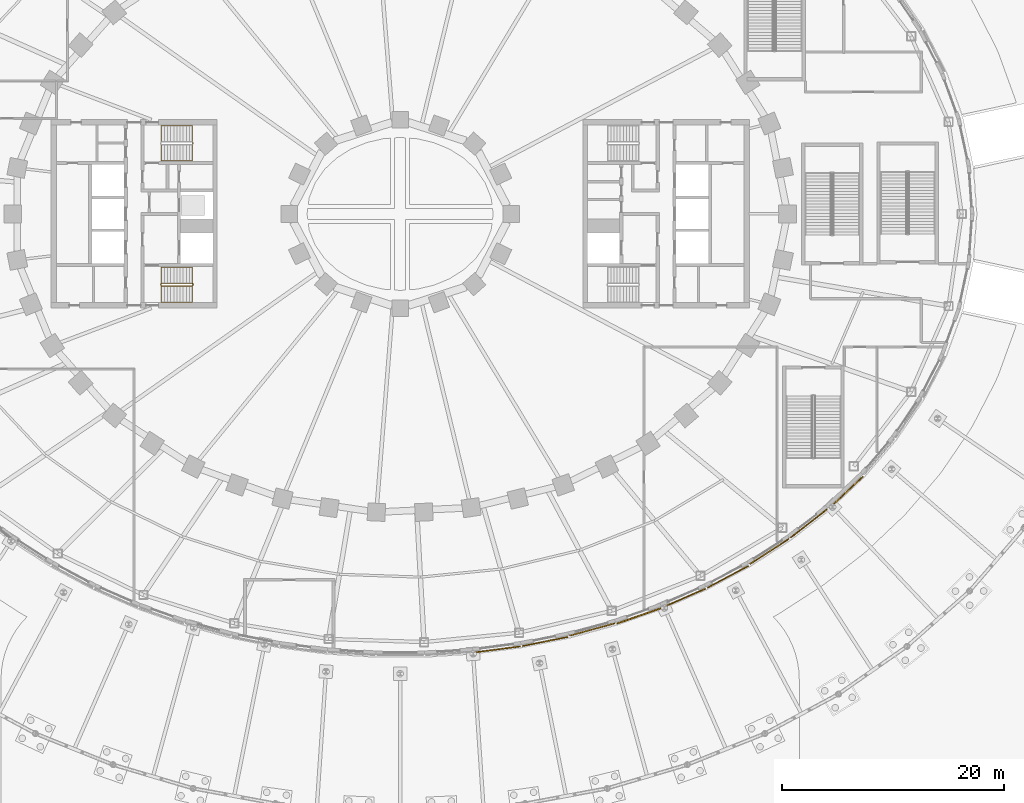
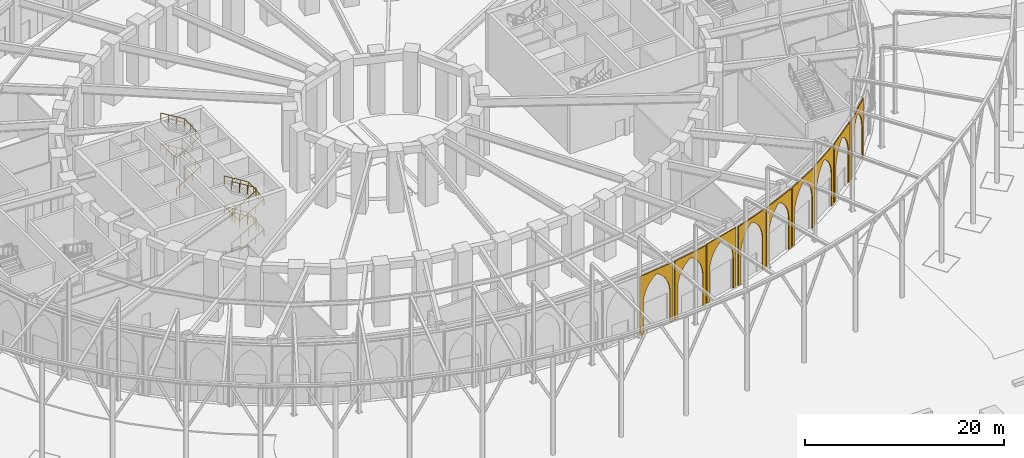
# One storey, part 74 of 79: 9 coverings, 3 railings.
"""IFC4 building model written with IfcOpenShell, lengths in metres."""

import ifcopenshell
import ifcopenshell.guid

model = None  # the IFC model being written
_history = None  # IfcOwnerHistory: only IFC2X3 demands one
_inside = {}  # id of a spatial element -> (the spatial element, [elements in it])
_under = {}  # id of a project, library or spatial element -> (it, [spatial elements below it])
_declared = {}  # id of a project -> (the project, [libraries it declares])
_typed = {}  # id of a type object -> (the type object, [elements of that type])
_made_of = {}  # id of a material, layer set ... -> (it, [elements and type objects made of it])


def new_model(schema):
    """Start an empty IFC model of exactly this schema.

    Asked for "IFC4X3", IfcOpenShell would pick the latest addendum, in which some entities
    have other attributes; the version numbers below select the first issue.
    IFC2X3 requires an IfcOwnerHistory on every rooted entity: one is made here for all.
    """
    global model, _history
    if schema == "IFC4X3":
        model = ifcopenshell.file(schema_version=(4, 3, 0, 0))
    else:
        model = ifcopenshell.file(schema=schema)
    _inside.clear()
    _under.clear()
    _declared.clear()
    _typed.clear()
    _made_of.clear()
    _history = None
    if model.schema == "IFC2X3":
        org = make("IfcOrganization", Name="unknown")
        user = make(
            "IfcPersonAndOrganization",
            ThePerson=make("IfcPerson", FamilyName="unknown"),
            TheOrganization=org,
        )
        app = make(
            "IfcApplication",
            ApplicationDeveloper=org,
            Version="unknown",
            ApplicationFullName="unknown",
            ApplicationIdentifier="unknown",
        )
        _history = make(
            "IfcOwnerHistory",
            OwningUser=user,
            OwningApplication=app,
            ChangeAction="ADDED",
            CreationDate=0,
        )
    return model


def make(cls, **values):
    """One entity of the class cls with the attributes given. An attribute that is None is left unset."""
    return model.create_entity(
        cls, **{name: value for name, value in values.items() if value is not None}
    )


def rooted(cls, **values):
    """An entity with a GlobalId (a new one), such as an element, a storey or a relation."""
    return make(cls, GlobalId=ifcopenshell.guid.new(), OwnerHistory=_history, **values)


def si_unit(unit_type, name, prefix=None):
    """IfcSIUnit, for example si_unit("LENGTHUNIT", "METRE", prefix="MILLI")."""
    return make("IfcSIUnit", UnitType=unit_type, Prefix=prefix, Name=name)


def assignment(units):
    """IfcUnitAssignment: the units of a project."""
    return None if units is None else make("IfcUnitAssignment", Units=units)


def point(xyz):
    """IfcCartesianPoint."""
    return None if xyz is None else make("IfcCartesianPoint", Coordinates=xyz)


def direction(xyz):
    """IfcDirection."""
    return None if xyz is None else make("IfcDirection", DirectionRatios=xyz)


def frame(location, z_axis=None, x_axis=None):
    """IfcAxis2Placement3D, a coordinate frame: its origin and axes. An axis left out is left unset."""
    return make(
        "IfcAxis2Placement3D",
        Location=point(location),
        Axis=direction(z_axis),
        RefDirection=direction(x_axis),
    )


def frame_2d(location, x_axis=None):
    """IfcAxis2Placement2D, a coordinate frame in the plane: its origin and x axis."""
    return make(
        "IfcAxis2Placement2D", Location=point(location), RefDirection=direction(x_axis)
    )


def origin():
    """The frame at (0, 0, 0) with its axes left unset."""
    return frame((0.0, 0.0, 0.0))


def origin_2d():
    """The frame at (0, 0) in the plane with its x axis left unset."""
    return frame_2d((0.0, 0.0))


def place(relative_to, where):
    """IfcLocalPlacement: puts the frame where relative to a parent placement (None: the world)."""
    return make(
        "IfcLocalPlacement", PlacementRelTo=relative_to, RelativePlacement=where
    )


def context(
    kind, dimensions, precision=None, world=None, true_north=None, identifier=None
):
    """IfcGeometricRepresentationContext, for example the 3D "Model" context."""
    return make(
        "IfcGeometricRepresentationContext",
        ContextIdentifier=identifier,
        ContextType=kind,
        CoordinateSpaceDimension=dimensions,
        Precision=precision,
        WorldCoordinateSystem=world,
        TrueNorth=true_north,
    )


def subcontext(parent, identifier, kind, view, scale=None):
    """IfcGeometricRepresentationSubContext, for example "Body" below "Model"."""
    return make(
        "IfcGeometricRepresentationSubContext",
        ContextIdentifier=identifier,
        ContextType=kind,
        ParentContext=parent,
        TargetScale=scale,
        TargetView=view,
    )


def project(units=None, contexts=None):
    """IfcProject with its units and contexts."""
    return rooted(
        "IfcProject",
        Name="project",
        RepresentationContexts=contexts,
        UnitsInContext=assignment(units),
    )


def spatial(cls, under=None, at=None, **own):
    """A site, building, storey or space (cls), placed at a placement, below another one or the project."""
    s = rooted(cls, ObjectPlacement=at, **own)
    if under is not None:
        _under.setdefault(under.id(), (under, []))[1].append(s)
    return s


def polyline(points):
    """IfcPolyline through the points."""
    return make("IfcPolyline", Points=[point(p) for p in points])


def profile(cls, at=None, kind="AREA", **sizes):
    """A parametric profile (cls). Its sizes go by their IFC names, for example OverallWidth=200.0."""
    return make(cls, ProfileType=kind, Position=at, **sizes)


def rectangle(**sizes):
    """IfcRectangleProfileDef."""
    return profile("IfcRectangleProfileDef", **sizes)


def outline(outer, holes=None, kind="AREA"):
    """IfcArbitraryClosedProfileDef: a profile drawn as a closed curve; with holes, ...WithVoids."""
    if holes is None:
        return make("IfcArbitraryClosedProfileDef", ProfileType=kind, OuterCurve=outer)
    return make(
        "IfcArbitraryProfileDefWithVoids",
        ProfileType=kind,
        OuterCurve=outer,
        InnerCurves=holes,
    )


def extrude(swept, where, along, depth):
    """IfcExtrudedAreaSolid: the profile swept, set in the frame where, extruded along a direction by depth."""
    return make(
        "IfcExtrudedAreaSolid",
        SweptArea=swept,
        Position=where,
        ExtrudedDirection=direction(along),
        Depth=depth,
    )


def shape(context_of_items, identifier, shape_type, items):
    """IfcShapeRepresentation: the items that make up one representation, for example the "Body"."""
    return make(
        "IfcShapeRepresentation",
        ContextOfItems=context_of_items,
        RepresentationIdentifier=identifier,
        RepresentationType=shape_type,
        Items=items,
    )


def material(Name=None, Category=None):
    """IfcMaterial."""
    return make("IfcMaterial", Name=Name, Category=Category)


def layer(
    of_material, thickness, ventilated=None, Name=None, Category=None, Priority=None
):
    """IfcMaterialLayer: one layer of a wall or slab, of a material (None: an air gap)."""
    return make(
        "IfcMaterialLayer",
        Material=of_material,
        LayerThickness=thickness,
        IsVentilated=ventilated,
        Name=Name,
        Category=Category,
        Priority=Priority,
    )


def layer_set(layers, Name=None):
    """IfcMaterialLayerSet."""
    return make("IfcMaterialLayerSet", MaterialLayers=layers, LayerSetName=Name)


def made_of(thing, what):
    """Note that an element or type object is made of a material, layer set ...; save() writes the relation."""
    if what is not None:
        _made_of.setdefault(what.id(), (what, []))[1].append(thing)
    return thing


def type_object(cls, material=None, **own):
    """A type object (cls), such as IfcWallType, which elements share."""
    return made_of(rooted(cls, **own), material)


def element(
    cls,
    number,
    at=None,
    inside=None,
    cuts=None,
    type_object=None,
    material=None,
    context=None,
    identifier="Body",
    shape_type=None,
    held_by="IfcProductDefinitionShape",
    body=None,
    shapes=None,
    **own,
):
    """One element of the class cls, such as IfcWall. Its Tag is "e" and its number.

    at: its placement. inside: the storey or other place that contains it. cuts: it is an
    opening in that element (IfcRelVoidsElement). A single representation is given by context,
    identifier, shape_type and body (its items); several are given by shapes. held_by: the class
    of the entity that holds the representations. save() writes the other relations.
    """
    e = rooted(cls, Tag="e%d" % number, ObjectPlacement=at, **own)
    if body is not None:
        shapes = [shape(context, identifier, shape_type, body)]
    if shapes is not None:
        e.Representation = make(held_by, Representations=shapes)
    if inside is not None:
        _inside.setdefault(inside.id(), (inside, []))[1].append(e)
    if cuts is not None:
        rooted(
            "IfcRelVoidsElement", RelatingBuildingElement=cuts, RelatedOpeningElement=e
        )
    if type_object is not None:
        _typed.setdefault(type_object.id(), (type_object, []))[1].append(e)
    return made_of(e, material)


def aggregate(whole, parts):
    """IfcRelAggregates: a whole, such as a stair, and the parts it consists of."""
    return rooted("IfcRelAggregates", RelatingObject=whole, RelatedObjects=parts)


def save(model, path):
    """Write the relations noted so far, then the file.

    IfcRelAggregates (storeys below a building ...), IfcRelContainedInSpatialStructure (elements
    in a storey), IfcRelDefinesByType, IfcRelAssociatesMaterial and IfcRelDeclares: one each for
    every whole, place, type object, material and project.
    """
    for whole, parts in _under.values():
        aggregate(whole, parts)
    for where, things in _inside.values():
        rooted(
            "IfcRelContainedInSpatialStructure",
            RelatedElements=things,
            RelatingStructure=where,
        )
    for kind, things in _typed.values():
        rooted("IfcRelDefinesByType", RelatedObjects=things, RelatingType=kind)
    for what, things in _made_of.values():
        rooted("IfcRelAssociatesMaterial", RelatedObjects=things, RelatingMaterial=what)
    for by, libraries in _declared.values():
        rooted("IfcRelDeclares", RelatingContext=by, RelatedDefinitions=libraries)
    model.write(path)


model = new_model("IFC4")

# Units and contexts
model_context = context("Model", 3, precision=1e-05, world=origin(), true_north=direction((0.0, 1.0)))
body_context = subcontext(model_context, "Body", "Model", "MODEL_VIEW")
ifc_project = project(units=[si_unit("LENGTHUNIT", "METRE"), si_unit("AREAUNIT", "SQUARE_METRE"), si_unit("VOLUMEUNIT", "CUBIC_METRE"), si_unit("PLANEANGLEUNIT", "RADIAN"), si_unit("MASSUNIT", "GRAM", prefix="KILO")], contexts=[model_context])

# Site, building, storey
site_placement = place(None, origin())
site = spatial("IfcSite", under=ifc_project, at=site_placement, CompositionType="ELEMENT")
building_placement = place(site_placement, origin())
building = spatial("IfcBuilding", under=site, at=building_placement, Name="Noorbagh Ring Tower", CompositionType="ELEMENT")
storey_placement = place(building_placement, origin())
storey = spatial("IfcBuildingStorey", under=building, at=storey_placement, Name="L00", CompositionType="ELEMENT", Elevation=0.0)

# Railings
ifc_material_1 = material(Name="Stainless steel", Category="steel")
railing_type_1 = type_object("IfcRailingType", Name="CORE-STAIR-GUARD", PredefinedType="GUARDRAIL", material=ifc_material_1)
railing_1_placement = place(storey_placement, frame((-21.580078125, -6.449951171875, 0.0)))
element("IfcRailing", 1, at=railing_1_placement, inside=storey, type_object=railing_type_1, Name="L00 ST2 stair guard", PredefinedType="GUARDRAIL", context=body_context, shape_type="SweptSolid", body=[
    extrude(rectangle(XDim=0.048095703125, YDim=0.048095703125, at=origin_2d()), frame((0.0, 0.0, 1.076171875), z_axis=(0.0, 1.0, 0.0), x_axis=(-1.0, 0.0, 0.0)), (0.0, 0.0, 1.0), 0.14990234375),
    extrude(rectangle(XDim=0.048095703125, YDim=0.048095703125, at=origin_2d()), frame((0.0, 0.14990234375, 1.076171875), z_axis=(0.18713932023, -0.747644406186, 0.637186563514), x_axis=(0.970072785993, 0.242814311512, 0.0)), (0.0, 0.0, 1.0), 0.267333984375),
    extrude(rectangle(XDim=0.048095703125, YDim=0.048095703125, at=origin_2d()), frame((0.050048828125, -0.050048828125, 1.24658203125), z_axis=(0.854169791009, 0.0, 0.51999420009), x_axis=(0.0, 1.0, 0.0)), (0.0, 0.0, 1.0), 3.278076171875),
    extrude(rectangle(XDim=0.048095703125, YDim=0.048095703125, at=origin_2d()), frame((2.85009765625, -0.050048828125, 2.951171875), z_axis=(0.707106781187, 0.707106781187, 0.0), x_axis=(-0.707106781187, 0.707106781187, 0.0)), (0.0, 0.0, 1.0), 0.07080078125),
    extrude(rectangle(XDim=0.048095703125, YDim=0.048095703125, at=origin_2d()), frame((2.900146484375, 0.0, 2.951171875), z_axis=(0.0, 1.0, 0.0), x_axis=(-1.0, 0.0, 0.0)), (0.0, 0.0, 1.0), 0.14990234375),
    extrude(rectangle(XDim=0.048095703125, YDim=0.048095703125, at=origin_2d()), frame((2.900146484375, 0.14990234375, 2.951171875), z_axis=(-0.271230943075, 0.271230943075, 0.923508284228), x_axis=(-0.707106781187, -0.707106781187, 0.0)), (0.0, 0.0, 1.0), 0.1845703125),
    extrude(rectangle(XDim=0.048095703125, YDim=0.048095703125, at=origin_2d()), frame((2.85009765625, 0.199951171875, 3.12158203125), z_axis=(-0.854169791009, 0.0, 0.51999420009), x_axis=(0.0, -1.0, 0.0)), (0.0, 0.0, 1.0), 3.278076171875),
    extrude(rectangle(XDim=0.048095703125, YDim=0.048095703125, at=origin_2d()), frame((0.050048828125, 0.199951171875, 4.826171875), z_axis=(-0.242814311512, -0.970072785993, 0.0), x_axis=(0.970072785993, -0.242814311512, 0.0)), (0.0, 0.0, 1.0), 0.2060546875),
    extrude(rectangle(XDim=0.048095703125, YDim=0.048095703125, at=origin_2d()), frame((0.0, 0.0, 4.826171875), z_axis=(0.0, 1.0, 0.0), x_axis=(-1.0, 0.0, 0.0)), (0.0, 0.0, 1.0), 0.14990234375),
    extrude(rectangle(XDim=0.048095703125, YDim=0.048095703125, at=origin_2d()), frame((0.0, 0.14990234375, 4.826171875), z_axis=(0.18713932023, -0.747644406186, 0.637186563514), x_axis=(0.970072785993, 0.242814311512, 0.0)), (0.0, 0.0, 1.0), 0.267333984375),
    extrude(rectangle(XDim=0.048095703125, YDim=0.048095703125, at=origin_2d()), frame((0.050048828125, -0.050048828125, 4.99658203125), z_axis=(0.854169791009, 0.0, 0.51999420009), x_axis=(0.0, 1.0, 0.0)), (0.0, 0.0, 1.0), 3.278076171875),
    extrude(rectangle(XDim=0.048095703125, YDim=0.048095703125, at=origin_2d()), frame((2.85009765625, -0.050048828125, 6.701171875), z_axis=(0.707106781187, 0.707106781187, 0.0), x_axis=(-0.707106781187, 0.707106781187, 0.0)), (0.0, 0.0, 1.0), 0.07080078125),
    extrude(rectangle(XDim=0.048095703125, YDim=0.048095703125, at=origin_2d()), frame((2.900146484375, 0.0, 6.701171875), z_axis=(0.0, 1.0, 0.0), x_axis=(-1.0, 0.0, 0.0)), (0.0, 0.0, 1.0), 0.14990234375),
    extrude(rectangle(XDim=0.048095703125, YDim=0.048095703125, at=origin_2d()), frame((2.900146484375, 0.14990234375, 6.701171875), z_axis=(-0.271230943075, 0.271230943075, 0.923508284228), x_axis=(-0.707106781187, -0.707106781187, 0.0)), (0.0, 0.0, 1.0), 0.1845703125),
    extrude(rectangle(XDim=0.048095703125, YDim=0.048095703125, at=origin_2d()), frame((2.85009765625, 0.199951171875, 6.87158203125), z_axis=(-0.854169791009, 0.0, 0.51999420009), x_axis=(0.0, -1.0, 0.0)), (0.0, 0.0, 1.0), 3.278076171875),
    extrude(rectangle(XDim=0.0419921875, YDim=0.0419921875, at=origin_2d()), origin(), (0.0, 0.0, 1.0), 1.052001953125),
    extrude(rectangle(XDim=0.0419921875, YDim=0.0419921875, at=origin_2d()), frame((0.9833984375, -0.050048828125, 0.738525390625)), (0.0, 0.0, 1.0), 1.052001953125),
    extrude(rectangle(XDim=0.0419921875, YDim=0.0419921875, at=origin_2d()), frame((1.916748046875, -0.050048828125, 1.306884765625)), (0.0, 0.0, 1.0), 1.052001953125),
    extrude(rectangle(XDim=0.0419921875, YDim=0.0419921875, at=origin_2d()), frame((2.85009765625, -0.050048828125, 1.875)), (0.0, 0.0, 1.0), 1.052001953125),
    extrude(rectangle(XDim=0.0419921875, YDim=0.0419921875, at=origin_2d()), frame((2.85009765625, 0.199951171875, 2.04541015625)), (0.0, 0.0, 1.0), 1.052001953125),
    extrude(rectangle(XDim=0.0419921875, YDim=0.0419921875, at=origin_2d()), frame((1.916748046875, 0.199951171875, 2.613525390625)), (0.0, 0.0, 1.0), 1.052001953125),
    extrude(rectangle(XDim=0.0419921875, YDim=0.0419921875, at=origin_2d()), frame((0.9833984375, 0.199951171875, 3.181884765625)), (0.0, 0.0, 1.0), 1.052001953125),
    extrude(rectangle(XDim=0.0419921875, YDim=0.0419921875, at=origin_2d()), frame((0.050048828125, 0.199951171875, 3.75)), (0.0, 0.0, 1.0), 1.052001953125),
    extrude(rectangle(XDim=0.0419921875, YDim=0.0419921875, at=origin_2d()), frame((0.050048828125, -0.050048828125, 3.92041015625)), (0.0, 0.0, 1.0), 1.052001953125),
    extrude(rectangle(XDim=0.0419921875, YDim=0.0419921875, at=origin_2d()), frame((0.9833984375, -0.050048828125, 4.488525390625)), (0.0, 0.0, 1.0), 1.052001953125),
    extrude(rectangle(XDim=0.0419921875, YDim=0.0419921875, at=origin_2d()), frame((1.916748046875, -0.050048828125, 5.056884765625)), (0.0, 0.0, 1.0), 1.052001953125),
    extrude(rectangle(XDim=0.0419921875, YDim=0.0419921875, at=origin_2d()), frame((2.85009765625, -0.050048828125, 5.625)), (0.0, 0.0, 1.0), 1.052001953125),
    extrude(rectangle(XDim=0.0419921875, YDim=0.0419921875, at=origin_2d()), frame((2.85009765625, 0.199951171875, 5.79541015625)), (0.0, 0.0, 1.0), 1.052001953125),
    extrude(rectangle(XDim=0.0419921875, YDim=0.0419921875, at=origin_2d()), frame((1.916748046875, 0.199951171875, 6.363525390625)), (0.0, 0.0, 1.0), 1.052001953125),
    extrude(rectangle(XDim=0.0419921875, YDim=0.0419921875, at=origin_2d()), frame((0.9833984375, 0.199951171875, 6.931884765625)), (0.0, 0.0, 1.0), 1.052001953125),
    extrude(rectangle(XDim=0.0419921875, YDim=0.0419921875, at=origin_2d()), frame((0.050048828125, 0.199951171875, 7.5)), (0.0, 0.0, 1.0), 1.052001953125),
])
ifc_material_2 = material(Name="Stainless steel", Category="steel")
railing_type_2 = type_object("IfcRailingType", Name="CORE-STAIR-HANDRAIL", PredefinedType="HANDRAIL", material=ifc_material_2)
railing_2_placement = place(storey_placement, frame((-21.530029296875, 4.800048828125, 0.17041015625)))
element("IfcRailing", 2, at=railing_2_placement, inside=storey, type_object=railing_type_2, Name="L00 ST1 stair handrail", PredefinedType="HANDRAIL", context=body_context, shape_type="SweptSolid", body=[
    extrude(rectangle(XDim=0.048095703125, YDim=0.048095703125, at=origin_2d()), frame((0.0, 0.0, 0.8759765625), z_axis=(0.854169791009, 0.0, 0.51999420009), x_axis=(0.0, 1.0, 0.0)), (0.0, 0.0, 1.0), 3.278076171875),
    extrude(rectangle(XDim=0.048095703125, YDim=0.048095703125, at=origin_2d()), frame((2.800048828125, 0.0, 2.58056640625), z_axis=(0.0, 0.998539792002, 0.054021142057), x_axis=(-1.0, 0.0, 0.0)), (0.0, 0.0, 1.0), 3.154541015625),
    extrude(rectangle(XDim=0.048095703125, YDim=0.048095703125, at=origin_2d()), frame((2.800048828125, 3.14990234375, 2.7509765625), z_axis=(-0.854169791009, 0.0, 0.51999420009), x_axis=(0.0, -1.0, 0.0)), (0.0, 0.0, 1.0), 3.278076171875),
    extrude(rectangle(XDim=0.048095703125, YDim=0.048095703125, at=origin_2d()), frame((0.0, 3.14990234375, 4.45556640625), z_axis=(0.0, -0.998539792002, 0.054021142057), x_axis=(1.0, 0.0, 0.0)), (0.0, 0.0, 1.0), 3.154541015625),
    extrude(rectangle(XDim=0.048095703125, YDim=0.048095703125, at=origin_2d()), frame((0.0, 0.0, 4.6259765625), z_axis=(0.854169791009, 0.0, 0.51999420009), x_axis=(0.0, 1.0, 0.0)), (0.0, 0.0, 1.0), 3.278076171875),
    extrude(rectangle(XDim=0.048095703125, YDim=0.048095703125, at=origin_2d()), frame((2.800048828125, 0.0, 6.33056640625), z_axis=(0.0, 0.998539792002, 0.054021142057), x_axis=(-1.0, 0.0, 0.0)), (0.0, 0.0, 1.0), 3.154541015625),
    extrude(rectangle(XDim=0.048095703125, YDim=0.048095703125, at=origin_2d()), frame((2.800048828125, 3.14990234375, 6.5009765625), z_axis=(-0.854169791009, 0.0, 0.51999420009), x_axis=(0.0, -1.0, 0.0)), (0.0, 0.0, 1.0), 3.278076171875),
    extrude(rectangle(XDim=0.0419921875, YDim=0.0419921875, at=origin_2d()), origin(), (0.0, 0.0, 1.0), 0.851806640625),
    extrude(rectangle(XDim=0.0419921875, YDim=0.0419921875, at=origin_2d()), frame((0.933349609375, 0.0, 0.568115234375)), (0.0, 0.0, 1.0), 0.851806640625),
    extrude(rectangle(XDim=0.0419921875, YDim=0.0419921875, at=origin_2d()), frame((1.86669921875, 0.0, 1.136474609375)), (0.0, 0.0, 1.0), 0.851806640625),
    extrude(rectangle(XDim=0.0419921875, YDim=0.0419921875, at=origin_2d()), frame((2.800048828125, 0.0, 1.70458984375)), (0.0, 0.0, 1.0), 0.851806640625),
    extrude(rectangle(XDim=0.0419921875, YDim=0.0419921875, at=origin_2d()), frame((2.800048828125, 1.050048828125, 1.761474609375)), (0.0, 0.0, 1.0), 0.851806640625),
    extrude(rectangle(XDim=0.0419921875, YDim=0.0419921875, at=origin_2d()), frame((2.800048828125, 2.099853515625, 1.818115234375)), (0.0, 0.0, 1.0), 0.851806640625),
    extrude(rectangle(XDim=0.0419921875, YDim=0.0419921875, at=origin_2d()), frame((2.800048828125, 3.14990234375, 1.875)), (0.0, 0.0, 1.0), 0.851806640625),
    extrude(rectangle(XDim=0.0419921875, YDim=0.0419921875, at=origin_2d()), frame((1.86669921875, 3.14990234375, 2.443115234375)), (0.0, 0.0, 1.0), 0.851806640625),
    extrude(rectangle(XDim=0.0419921875, YDim=0.0419921875, at=origin_2d()), frame((0.933349609375, 3.14990234375, 3.011474609375)), (0.0, 0.0, 1.0), 0.851806640625),
    extrude(rectangle(XDim=0.0419921875, YDim=0.0419921875, at=origin_2d()), frame((0.0, 3.14990234375, 3.57958984375)), (0.0, 0.0, 1.0), 0.851806640625),
    extrude(rectangle(XDim=0.0419921875, YDim=0.0419921875, at=origin_2d()), frame((0.0, 2.099853515625, 3.636474609375)), (0.0, 0.0, 1.0), 0.851806640625),
    extrude(rectangle(XDim=0.0419921875, YDim=0.0419921875, at=origin_2d()), frame((0.0, 1.050048828125, 3.693115234375)), (0.0, 0.0, 1.0), 0.851806640625),
    extrude(rectangle(XDim=0.0419921875, YDim=0.0419921875, at=origin_2d()), frame((0.0, 0.0, 3.75)), (0.0, 0.0, 1.0), 0.851806640625),
    extrude(rectangle(XDim=0.0419921875, YDim=0.0419921875, at=origin_2d()), frame((0.933349609375, 0.0, 4.318115234375)), (0.0, 0.0, 1.0), 0.851806640625),
    extrude(rectangle(XDim=0.0419921875, YDim=0.0419921875, at=origin_2d()), frame((1.86669921875, 0.0, 4.886474609375)), (0.0, 0.0, 1.0), 0.851806640625),
    extrude(rectangle(XDim=0.0419921875, YDim=0.0419921875, at=origin_2d()), frame((2.800048828125, 0.0, 5.45458984375)), (0.0, 0.0, 1.0), 0.851806640625),
    extrude(rectangle(XDim=0.0419921875, YDim=0.0419921875, at=origin_2d()), frame((2.800048828125, 1.050048828125, 5.511474609375)), (0.0, 0.0, 1.0), 0.851806640625),
    extrude(rectangle(XDim=0.0419921875, YDim=0.0419921875, at=origin_2d()), frame((2.800048828125, 2.099853515625, 5.568115234375)), (0.0, 0.0, 1.0), 0.851806640625),
    extrude(rectangle(XDim=0.0419921875, YDim=0.0419921875, at=origin_2d()), frame((2.800048828125, 3.14990234375, 5.625)), (0.0, 0.0, 1.0), 0.851806640625),
    extrude(rectangle(XDim=0.0419921875, YDim=0.0419921875, at=origin_2d()), frame((1.86669921875, 3.14990234375, 6.193115234375)), (0.0, 0.0, 1.0), 0.851806640625),
    extrude(rectangle(XDim=0.0419921875, YDim=0.0419921875, at=origin_2d()), frame((0.933349609375, 3.14990234375, 6.761474609375)), (0.0, 0.0, 1.0), 0.851806640625),
    extrude(rectangle(XDim=0.0419921875, YDim=0.0419921875, at=origin_2d()), frame((0.0, 3.14990234375, 7.32958984375)), (0.0, 0.0, 1.0), 0.851806640625),
])
railing_3_placement = place(storey_placement, frame((-21.530029296875, -7.949951171875, 0.17041015625)))
element("IfcRailing", 3, at=railing_3_placement, inside=storey, type_object=railing_type_2, Name="L00 ST2 stair handrail", PredefinedType="HANDRAIL", context=body_context, shape_type="SweptSolid", body=[
    extrude(rectangle(XDim=0.048095703125, YDim=0.048095703125, at=origin_2d()), frame((0.0, 0.0, 0.8759765625), z_axis=(0.854169791009, 0.0, 0.51999420009), x_axis=(0.0, 1.0, 0.0)), (0.0, 0.0, 1.0), 3.278076171875),
    extrude(rectangle(XDim=0.048095703125, YDim=0.048095703125, at=origin_2d()), frame((2.800048828125, 0.0, 2.58056640625), z_axis=(0.0, 0.998539792002, 0.054021142057), x_axis=(-1.0, 0.0, 0.0)), (0.0, 0.0, 1.0), 3.154541015625),
    extrude(rectangle(XDim=0.048095703125, YDim=0.048095703125, at=origin_2d()), frame((2.800048828125, 3.14990234375, 2.7509765625), z_axis=(-0.854169791009, 0.0, 0.51999420009), x_axis=(0.0, -1.0, 0.0)), (0.0, 0.0, 1.0), 3.278076171875),
    extrude(rectangle(XDim=0.048095703125, YDim=0.048095703125, at=origin_2d()), frame((0.0, 3.14990234375, 4.45556640625), z_axis=(0.0, -0.998539792002, 0.054021142057), x_axis=(1.0, 0.0, 0.0)), (0.0, 0.0, 1.0), 3.154541015625),
    extrude(rectangle(XDim=0.048095703125, YDim=0.048095703125, at=origin_2d()), frame((0.0, 0.0, 4.6259765625), z_axis=(0.854169791009, 0.0, 0.51999420009), x_axis=(0.0, 1.0, 0.0)), (0.0, 0.0, 1.0), 3.278076171875),
    extrude(rectangle(XDim=0.048095703125, YDim=0.048095703125, at=origin_2d()), frame((2.800048828125, 0.0, 6.33056640625), z_axis=(0.0, 0.998539792002, 0.054021142057), x_axis=(-1.0, 0.0, 0.0)), (0.0, 0.0, 1.0), 3.154541015625),
    extrude(rectangle(XDim=0.048095703125, YDim=0.048095703125, at=origin_2d()), frame((2.800048828125, 3.14990234375, 6.5009765625), z_axis=(-0.854169791009, 0.0, 0.51999420009), x_axis=(0.0, -1.0, 0.0)), (0.0, 0.0, 1.0), 3.278076171875),
    extrude(rectangle(XDim=0.0419921875, YDim=0.0419921875, at=origin_2d()), origin(), (0.0, 0.0, 1.0), 0.851806640625),
    extrude(rectangle(XDim=0.0419921875, YDim=0.0419921875, at=origin_2d()), frame((0.933349609375, 0.0, 0.568115234375)), (0.0, 0.0, 1.0), 0.851806640625),
    extrude(rectangle(XDim=0.0419921875, YDim=0.0419921875, at=origin_2d()), frame((1.86669921875, 0.0, 1.136474609375)), (0.0, 0.0, 1.0), 0.851806640625),
    extrude(rectangle(XDim=0.0419921875, YDim=0.0419921875, at=origin_2d()), frame((2.800048828125, 0.0, 1.70458984375)), (0.0, 0.0, 1.0), 0.851806640625),
    extrude(rectangle(XDim=0.0419921875, YDim=0.0419921875, at=origin_2d()), frame((2.800048828125, 1.050048828125, 1.761474609375)), (0.0, 0.0, 1.0), 0.851806640625),
    extrude(rectangle(XDim=0.0419921875, YDim=0.0419921875, at=origin_2d()), frame((2.800048828125, 2.099853515625, 1.818115234375)), (0.0, 0.0, 1.0), 0.851806640625),
    extrude(rectangle(XDim=0.0419921875, YDim=0.0419921875, at=origin_2d()), frame((2.800048828125, 3.14990234375, 1.875)), (0.0, 0.0, 1.0), 0.851806640625),
    extrude(rectangle(XDim=0.0419921875, YDim=0.0419921875, at=origin_2d()), frame((1.86669921875, 3.14990234375, 2.443115234375)), (0.0, 0.0, 1.0), 0.851806640625),
    extrude(rectangle(XDim=0.0419921875, YDim=0.0419921875, at=origin_2d()), frame((0.933349609375, 3.14990234375, 3.011474609375)), (0.0, 0.0, 1.0), 0.851806640625),
    extrude(rectangle(XDim=0.0419921875, YDim=0.0419921875, at=origin_2d()), frame((0.0, 3.14990234375, 3.57958984375)), (0.0, 0.0, 1.0), 0.851806640625),
    extrude(rectangle(XDim=0.0419921875, YDim=0.0419921875, at=origin_2d()), frame((0.0, 2.099853515625, 3.636474609375)), (0.0, 0.0, 1.0), 0.851806640625),
    extrude(rectangle(XDim=0.0419921875, YDim=0.0419921875, at=origin_2d()), frame((0.0, 1.050048828125, 3.693115234375)), (0.0, 0.0, 1.0), 0.851806640625),
    extrude(rectangle(XDim=0.0419921875, YDim=0.0419921875, at=origin_2d()), frame((0.0, 0.0, 3.75)), (0.0, 0.0, 1.0), 0.851806640625),
    extrude(rectangle(XDim=0.0419921875, YDim=0.0419921875, at=origin_2d()), frame((0.933349609375, 0.0, 4.318115234375)), (0.0, 0.0, 1.0), 0.851806640625),
    extrude(rectangle(XDim=0.0419921875, YDim=0.0419921875, at=origin_2d()), frame((1.86669921875, 0.0, 4.886474609375)), (0.0, 0.0, 1.0), 0.851806640625),
    extrude(rectangle(XDim=0.0419921875, YDim=0.0419921875, at=origin_2d()), frame((2.800048828125, 0.0, 5.45458984375)), (0.0, 0.0, 1.0), 0.851806640625),
    extrude(rectangle(XDim=0.0419921875, YDim=0.0419921875, at=origin_2d()), frame((2.800048828125, 1.050048828125, 5.511474609375)), (0.0, 0.0, 1.0), 0.851806640625),
    extrude(rectangle(XDim=0.0419921875, YDim=0.0419921875, at=origin_2d()), frame((2.800048828125, 2.099853515625, 5.568115234375)), (0.0, 0.0, 1.0), 0.851806640625),
    extrude(rectangle(XDim=0.0419921875, YDim=0.0419921875, at=origin_2d()), frame((2.800048828125, 3.14990234375, 5.625)), (0.0, 0.0, 1.0), 0.851806640625),
    extrude(rectangle(XDim=0.0419921875, YDim=0.0419921875, at=origin_2d()), frame((1.86669921875, 3.14990234375, 6.193115234375)), (0.0, 0.0, 1.0), 0.851806640625),
    extrude(rectangle(XDim=0.0419921875, YDim=0.0419921875, at=origin_2d()), frame((0.933349609375, 3.14990234375, 6.761474609375)), (0.0, 0.0, 1.0), 0.851806640625),
    extrude(rectangle(XDim=0.0419921875, YDim=0.0419921875, at=origin_2d()), frame((0.0, 3.14990234375, 7.32958984375)), (0.0, 0.0, 1.0), 0.851806640625),
])

# Coverings
ifc_material_3 = material(Name="Red sandstone cladding", Category="masonry")
ifc_layer = layer(ifc_material_3, 0.10009765625)
ifc_layer_set = layer_set([ifc_layer], Name="Red sandstone cladding")
covering_type = type_object("IfcCoveringType", Name="STY-SPANDREL", PredefinedType="USERDEFINED", material=ifc_layer_set)
covering_1_placement = place(storey_placement, frame((6.678955078125, -39.514404296875, 0.0), z_axis=(-0.130543374072, 0.991442599022, 1.8168426e-05), x_axis=(0.991442599186, 0.130543374094, -1.844e-09)))
element("IfcCovering", 4, at=covering_1_placement, inside=storey, type_object=covering_type, Name="Arch spandrel", ObjectType="ARCH", PredefinedType="USERDEFINED", context=body_context, shape_type="SweptSolid", body=[
    extrude(outline(polyline([(0.0, 0.0), (0.39991188064788574, -1.0587911840678754e-22), (0.3999118736395706, -3.800048827497818), (0.42870995259288264, -4.239990235511166), (0.5146519591988254, -4.672363282266062), (0.6564957654508817, -5.089843750513895), (0.8515150639066924, -5.485107423926737), (1.0965631861723455, -5.85180663872225), (1.3871238520705909, -6.1833496095838525), (1.7185662137703228, -6.474121095524771), (2.0849854244785715, -6.718994142705968), (2.4516466875058605, -6.474121096797486), (2.7831209212190564, -6.183349609686752), (3.0739236397560274, -5.851806643737286), (3.3189398924333244, -5.485107425551479), (3.5137171409312637, -5.089843754765302), (3.6555609487232137, -4.672363285650941), (3.7415029569239815, -4.23999023879856), (3.7703010375000345, -3.800048834457129), (3.77030104450835, -6.959310766933372e-09), (4.170454976572052, -7.538802013674786e-09), (4.170454963201096, -7.25000000634222), (-1.337095576457789e-08, -7.2499999988034185), (0.0, 0.0)])), origin(), (0.0, 0.0, -1.0), 0.10009765625),
])
covering_2_placement = place(storey_placement, frame((11.02734375, -38.9345703125, 0.0), z_axis=(-0.19663082923, 0.980477595131, 4.9424863e-05), x_axis=(0.980477596328, 0.196630829472, -2.7309e-08)))
element("IfcCovering", 5, at=covering_2_placement, inside=storey, type_object=covering_type, Name="Arch spandrel", ObjectType="ARCH", PredefinedType="USERDEFINED", context=body_context, shape_type="SweptSolid", body=[
    extrude(outline(polyline([(0.0, 0.0), (0.39994110781792974, 8.470329472543003e-22), (0.39994100404121313, -3.800048823483586), (0.4288125521468103, -4.239990233100198), (0.5147090974664517, -4.672119143396655), (0.6563857625473899, -5.089599616815013), (0.8515921667306147, -5.484863296236133), (1.0963543028646825, -5.851318382214982), (1.3869375381979812, -6.182861358935132), (1.7183623623394668, -6.473388710513865), (2.0848831360383246, -6.718505910133491), (2.4514039231251457, -6.473388735351892), (2.782828763134835, -6.18286140014033), (3.0736513909897196, -5.851318442549585), (3.3184135471390594, -5.484863373173617), (3.5133805984978754, -5.0895997074310895), (3.655057286381022, -4.672119244369275), (3.7409538553029487, -4.239990343221345), (3.76982542743754, -3.800048941412654), (3.7698255312142566, -1.179290677305844e-07), (4.169958007871751, -1.3213801036969812e-07), (4.169957809879243, -7.2500001232827955), (-1.9799250730103128e-07, -7.249999991144785), (0.0, 0.0)])), origin(), (0.0, 0.0, -1.0), 0.10009765625),
])
covering_3_placement = place(storey_placement, frame((15.3271484375, -38.06494140625, 0.0), z_axis=(0.26341009615, -0.964683948886, 2.84788e-06), x_axis=(0.96468394889, 0.263410096151, -7.12e-10)))
element("IfcCovering", 6, at=covering_3_placement, inside=storey, type_object=covering_type, Name="Arch spandrel", ObjectType="ARCH", PredefinedType="USERDEFINED", context=body_context, shape_type="SweptSolid", body=[
    extrude(outline(polyline([(0.0, 0.0), (0.3998365211638303, -1.0587911840678754e-22), (0.39983651846004487, 3.80004882810959), (0.42874352333524995, 4.2397460943382015), (0.5148005741908416, 4.672119141381264), (0.6564659415682841, 5.089111328370125), (0.8513201309443206, 5.484619140838804), (1.0961084739592704, 5.8508300791537105), (1.3866125102032374, 6.182128907172081), (1.718164460061722, 6.4729003919831785), (2.0843618871394387, 6.717529298420257), (2.450794833107478, 6.472900392176344), (2.782111264837529, 6.1821289084227775), (3.0728508200951525, 5.850830080010859), (3.3175748545257244, 5.4846191426579605), (3.5124933535700844, 5.089111330800621), (3.654223030646424, 4.672119143463637), (3.740215773011788, 4.239746096089433), (3.7688229508649793, 3.8000488305838136), (3.7688229535687645, 2.4742234023518346e-09), (4.16895930238031, 2.9620207066250503e-09), (4.168959297221838, 7.25000000293262), (-5.15847167696913e-09, 7.2499999999705995), (0.0, 0.0)])), origin(), (0.0, 0.0, -1.0), 0.10009765625),
])
covering_4_placement = place(storey_placement, frame((19.556640625, -36.902099609375, 0.0), z_axis=(-0.331354215224, 0.943506430319, 6.42242e-07), x_axis=(0.943506430319, 0.331354215224, -2e-11)))
element("IfcCovering", 7, at=covering_4_placement, inside=storey, type_object=covering_type, Name="Arch spandrel", ObjectType="ARCH", PredefinedType="USERDEFINED", context=body_context, shape_type="SweptSolid", body=[
    extrude(outline(polyline([(0.0, 0.0), (0.40004547854975436, 1.3234889800848443e-23), (0.4000454784747247, -3.800048828124216), (0.428769118153339, -4.239501953122116), (0.5147096889570905, -4.671630859314038), (0.6562424103129874, -5.088867187457038), (0.851281805148854, -5.483886718829249), (1.096049061620172, -5.850097656368024), (1.386454122607622, -6.181396484356692), (1.7176226463919018, -6.471679687566414), (2.08377124108133, -6.716552734439737), (2.450150184030018, -6.47167968761512), (2.7813187078257604, -6.181396484574962), (3.0719541170758826, -5.850097656365727), (3.316491025312072, -5.483886718852693), (3.511300071913948, -5.088867187673107), (3.6530631415359105, -4.671630859618238), (3.7390037123567263, -4.239501953310339), (3.767727352052694, -3.8000488283084204), (3.7677273521277237, -1.842043785733247e-10), (4.167772830677478, -1.842043785733247e-10), (4.167772830534331, -7.250000000182709), (-1.4314678546260145e-10, -7.249999999998504), (0.0, 0.0)])), origin(), (0.0, 0.0, -1.0), 0.10009765625),
])
covering_5_placement = place(storey_placement, frame((23.6923828125, -35.44140625, 0.0), z_axis=(-0.400515312206, 0.916290064662, 4.5723026e-05), x_axis=(0.916290065619, 0.400515312626, -2.3136e-08)))
element("IfcCovering", 8, at=covering_5_placement, inside=storey, type_object=covering_type, Name="Arch spandrel", ObjectType="ARCH", PredefinedType="USERDEFINED", context=body_context, shape_type="SweptSolid", body=[
    extrude(outline(polyline([(0.0, 0.0), (0.4000219601780815, -1.6940658945086007e-21), (0.40002187225934466, -3.800048824152817), (0.4287776108177171, -4.239501951479929), (0.5145974397495444, -4.671142575436015), (0.6562931985195386, -5.088134771302384), (0.8510130191398516, -5.483154312004533), (1.0956813299876846, -5.849121106616631), (1.3860625382247111, -6.180419945663842), (1.7169980970005359, -6.4707031549644665), (2.0830361132546313, -6.715087934763707), (2.44917192287575, -6.470703173597714), (2.7803311987129837, -6.18041998173127), (3.070488718650708, -5.849121160745025), (3.315059264373966, -5.483154372598357), (3.5101005889608388, -5.088134845876254), (3.65134895976747, -4.6711426586622515), (3.7373925123016574, -4.2395020379967905), (3.766148271194591, -3.8000489162426208), (3.766148359113328, -9.208980392519958e-08), (4.166296240861964, -1.0679201572298658e-07), (4.166296073124424, -7.250000099213607), (-1.6773753996676337e-07, -7.249999992421591), (0.0, 0.0)])), origin(), (0.0, 0.0, -1.0), 0.10009765625),
])
covering_6_placement = place(storey_placement, frame((27.707275390625, -33.67724609375, 0.0), z_axis=(-0.470845477426, 0.882215697055, 1.6049794e-05), x_axis=(0.882215697168, 0.470845477487, -2.232e-09)))
element("IfcCovering", 9, at=covering_6_placement, inside=storey, type_object=covering_type, Name="Arch spandrel", ObjectType="ARCH", PredefinedType="USERDEFINED", context=body_context, shape_type="SweptSolid", body=[
    extrude(outline(polyline([(0.0, 0.0), (0.4001896012512781, 0.0), (0.40018959276949256, -3.8000488276355617), (0.428911987728992, -4.239013673141002), (0.5147633577086189, -4.670898436998798), (0.656092016722683, -5.087402346015911), (0.8507295975418252, -5.482177734247402), (1.0952722959908732, -5.848144534378899), (1.3853688572703275, -6.178955079528398), (1.7164236012341372, -6.46899414036074), (2.0822036820564667, -6.713623049337838), (2.4480987164799815, -6.4689941424213275), (2.779038509229385, -6.178955081785005), (3.069135071985591, -5.8481445332697195), (3.313792724577482, -5.482177736288865), (3.508315354649765, -5.0874023468286715), (3.6497589680322715, -4.670898439996451), (3.735495387430697, -4.239013676172122), (3.764548121550597, -3.800048832679459), (3.7645481300323826, -5.043897163242147e-09), (4.164407394082817, -6.655075688368492e-09), (4.1644073779006705, -7.250000005721291), (-1.6182146099530205e-08, -7.249999999066215), (0.0, 0.0)])), origin(), (0.0, 0.0, -1.0), 0.10009765625),
])
covering_7_placement = place(storey_placement, frame((31.5712890625, -31.604248046875, 0.0), z_axis=(0.54259399943, -0.839995090261, 1.0929639e-05), x_axis=(0.839995090311, 0.542593999463, 9.76e-10)))
element("IfcCovering", 10, at=covering_7_placement, inside=storey, type_object=covering_type, Name="Arch spandrel", ObjectType="ARCH", PredefinedType="USERDEFINED", context=body_context, shape_type="SweptSolid", body=[
    extrude(outline(polyline([(0.0, 0.0), (0.39995100336686396, 0.0), (0.3999510070757964, 3.800048827898029), (0.42873165445380973, 4.238769531083153), (0.5143985033953076, 4.670166014104881), (0.6558663077112205, 5.08666991889825), (0.8504219519401945, 5.480957029987675), (1.0944848975047325, 5.846679684639112), (1.3845943289270088, 6.177246091354762), (1.71533676143161, 6.467285153312951), (2.0808885563906707, 6.71166991721307), (2.446572820110832, 6.467285152133669), (2.777315252049264, 6.1772460891265055), (3.067087136661764, 5.846679682588398), (3.3114876276768905, 5.480957025576769), (3.5059108018980485, 5.086669915722006), (3.647378605400928, 4.670166008065132), (3.73317792273847, 4.238769524629679), (3.7619585692600803, 3.800048821617212), (3.761958565551148, -6.28081741129932e-09), (4.161909568918013, -6.280817411302708e-09), (4.161909575994175, 7.249999993286151), (7.076161754676697e-09, 7.249999999566969), (0.0, 0.0)])), origin(), (0.0, 0.0, -1.0), 0.10009765625),
])
covering_8_placement = place(storey_placement, frame((35.248291015625, -29.217529296875, 0.0), z_axis=(0.61491372542, -0.788594388741, 1.8350413e-05), x_axis=(0.788594388874, 0.614913725523, -3.965e-09)))
element("IfcCovering", 11, at=covering_8_placement, inside=storey, type_object=covering_type, Name="Arch spandrel", ObjectType="ARCH", PredefinedType="USERDEFINED", context=body_context, shape_type="SweptSolid", body=[
    extrude(outline(polyline([(0.0, 0.0), (0.3999223808659082, 8.470329472543003e-22), (0.3999223657969676, 3.80004882748519), (0.42878661701925463, 4.23852539173011), (0.5145439420758967, 4.669433595146307), (0.6557813250963032, 5.085693362779788), (0.8501001926727958, 5.479736329800591), (1.0941393317589685, 5.844970707649089), (1.3839370276213974, 6.175292974881326), (1.714268675047326, 6.465087898006637), (2.07956701547382, 6.709228524004814), (2.4452080111848153, 6.465087900864665), (2.775539660909084, 6.175292980337561), (3.065144831464301, 5.84497071918513), (3.3093765013740897, 5.479736344402517), (3.5035028441487337, 5.0856933768101085), (3.6449327583974336, 4.66943361057966), (3.7306900868715744, 4.238525407890961), (3.7593618136444125, 3.8000488500376313), (3.7593618287133532, 2.2552441414744773e-08), (4.159284209579262, 2.2552441414744773e-08), (4.159284180829679, 7.2500000213317675), (-2.8749583040236817e-08, 7.249999998779326), (0.0, 0.0)])), origin(), (0.0, 0.0, -1.0), 0.10009765625),
])
covering_9_placement = place(storey_placement, frame((38.69775390625, -26.513916015625, 0.0), z_axis=(-0.687597658603, 0.726091908317, 2.368352e-05), x_axis=(0.72609190852, 0.687597658796, -9.3e-10)))
element("IfcCovering", 12, at=covering_9_placement, inside=storey, type_object=covering_type, Name="Arch spandrel", ObjectType="ARCH", PredefinedType="USERDEFINED", context=body_context, shape_type="SweptSolid", body=[
    extrude(outline(polyline([(0.0, 0.0), (0.4001396319828925, -1.6940658945086007e-21), (0.4001396284484026, -3.800048827059259), (0.4288049655865981, -4.23803710608733), (0.5144652367784236, -4.668701170565641), (0.6555532192702964, -5.084472649860298), (0.8496717357077587, -5.478027343127386), (1.0935184700533027, -5.843017575794833), (1.3829611516687732, -6.173095702455622), (1.7131584357859195, -6.462646483673806), (2.078242958482661, -6.706542970104193), (2.443327481633107, -6.462646487921384), (2.773179627234365, -6.1730957070242365), (3.0626223094638583, -5.843017583870169), (3.3066463130207233, -5.478027351968273), (3.5007554321801027, -5.084472662281992), (3.641852813455594, -4.668701181233974), (3.7275130854485554, -4.23803712095385), (3.7561784234015114, -3.8000488377275925), (3.7561784269360015, -1.0668333275998026e-08), (4.156318058918894, -1.0668333275998026e-08), (4.156318052175546, -7.250000008635038), (-6.7433480009831965e-09, -7.249999997966705), (0.0, 0.0)])), origin(), (0.0, 0.0, -1.0), 0.10009765625),
])

save(model, "model.ifc")
